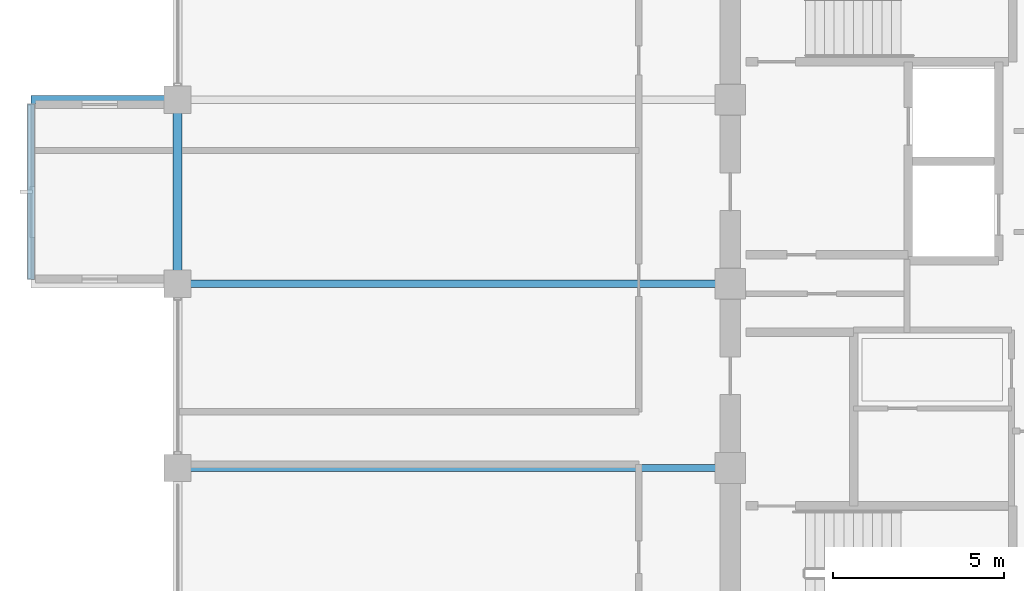
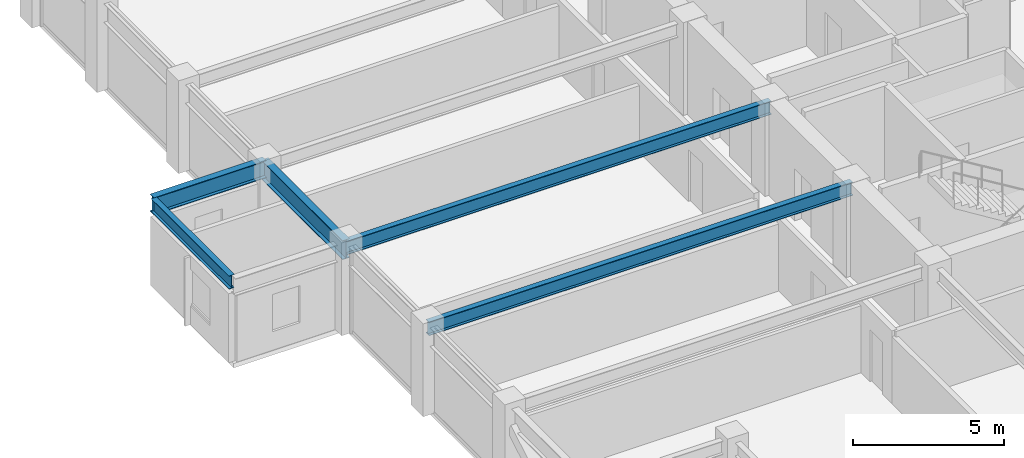
# One storey, part 6 of 28: 5 beams.
"""IFC4 building model written with IfcOpenShell, lengths in metres."""

import ifcopenshell
import ifcopenshell.guid

model = None  # the IFC model being written
_history = None  # IfcOwnerHistory: only IFC2X3 demands one
_inside = {}  # id of a spatial element -> (the spatial element, [elements in it])
_under = {}  # id of a project, library or spatial element -> (it, [spatial elements below it])
_declared = {}  # id of a project -> (the project, [libraries it declares])
_typed = {}  # id of a type object -> (the type object, [elements of that type])
_made_of = {}  # id of a material, layer set ... -> (it, [elements and type objects made of it])


def new_model(schema):
    """Start an empty IFC model of exactly this schema.

    Asked for "IFC4X3", IfcOpenShell would pick the latest addendum, in which some entities
    have other attributes; the version numbers below select the first issue.
    IFC2X3 requires an IfcOwnerHistory on every rooted entity: one is made here for all.
    """
    global model, _history
    if schema == "IFC4X3":
        model = ifcopenshell.file(schema_version=(4, 3, 0, 0))
    else:
        model = ifcopenshell.file(schema=schema)
    _inside.clear()
    _under.clear()
    _declared.clear()
    _typed.clear()
    _made_of.clear()
    _history = None
    if model.schema == "IFC2X3":
        org = make("IfcOrganization", Name="unknown")
        user = make(
            "IfcPersonAndOrganization",
            ThePerson=make("IfcPerson", FamilyName="unknown"),
            TheOrganization=org,
        )
        app = make(
            "IfcApplication",
            ApplicationDeveloper=org,
            Version="unknown",
            ApplicationFullName="unknown",
            ApplicationIdentifier="unknown",
        )
        _history = make(
            "IfcOwnerHistory",
            OwningUser=user,
            OwningApplication=app,
            ChangeAction="ADDED",
            CreationDate=0,
        )
    return model


def make(cls, **values):
    """One entity of the class cls with the attributes given. An attribute that is None is left unset."""
    return model.create_entity(
        cls, **{name: value for name, value in values.items() if value is not None}
    )


def rooted(cls, **values):
    """An entity with a GlobalId (a new one), such as an element, a storey or a relation."""
    return make(cls, GlobalId=ifcopenshell.guid.new(), OwnerHistory=_history, **values)


def si_unit(unit_type, name, prefix=None):
    """IfcSIUnit, for example si_unit("LENGTHUNIT", "METRE", prefix="MILLI")."""
    return make("IfcSIUnit", UnitType=unit_type, Prefix=prefix, Name=name)


def assignment(units):
    """IfcUnitAssignment: the units of a project."""
    return None if units is None else make("IfcUnitAssignment", Units=units)


def point(xyz):
    """IfcCartesianPoint."""
    return None if xyz is None else make("IfcCartesianPoint", Coordinates=xyz)


def direction(xyz):
    """IfcDirection."""
    return None if xyz is None else make("IfcDirection", DirectionRatios=xyz)


def frame(location, z_axis=None, x_axis=None):
    """IfcAxis2Placement3D, a coordinate frame: its origin and axes. An axis left out is left unset."""
    return make(
        "IfcAxis2Placement3D",
        Location=point(location),
        Axis=direction(z_axis),
        RefDirection=direction(x_axis),
    )


def frame_2d(location, x_axis=None):
    """IfcAxis2Placement2D, a coordinate frame in the plane: its origin and x axis."""
    return make(
        "IfcAxis2Placement2D", Location=point(location), RefDirection=direction(x_axis)
    )


def origin():
    """The frame at (0, 0, 0) with its axes left unset."""
    return frame((0.0, 0.0, 0.0))


def origin_2d():
    """The frame at (0, 0) in the plane with its x axis left unset."""
    return frame_2d((0.0, 0.0))


def place(relative_to, where):
    """IfcLocalPlacement: puts the frame where relative to a parent placement (None: the world)."""
    return make(
        "IfcLocalPlacement", PlacementRelTo=relative_to, RelativePlacement=where
    )


def context(
    kind, dimensions, precision=None, world=None, true_north=None, identifier=None
):
    """IfcGeometricRepresentationContext, for example the 3D "Model" context."""
    return make(
        "IfcGeometricRepresentationContext",
        ContextIdentifier=identifier,
        ContextType=kind,
        CoordinateSpaceDimension=dimensions,
        Precision=precision,
        WorldCoordinateSystem=world,
        TrueNorth=true_north,
    )


def subcontext(parent, identifier, kind, view, scale=None):
    """IfcGeometricRepresentationSubContext, for example "Body" below "Model"."""
    return make(
        "IfcGeometricRepresentationSubContext",
        ContextIdentifier=identifier,
        ContextType=kind,
        ParentContext=parent,
        TargetScale=scale,
        TargetView=view,
    )


def project(units=None, contexts=None):
    """IfcProject with its units and contexts."""
    return rooted(
        "IfcProject",
        Name="project",
        RepresentationContexts=contexts,
        UnitsInContext=assignment(units),
    )


def spatial(cls, under=None, at=None, **own):
    """A site, building, storey or space (cls), placed at a placement, below another one or the project."""
    s = rooted(cls, ObjectPlacement=at, **own)
    if under is not None:
        _under.setdefault(under.id(), (under, []))[1].append(s)
    return s


def profile(cls, at=None, kind="AREA", **sizes):
    """A parametric profile (cls). Its sizes go by their IFC names, for example OverallWidth=200.0."""
    return make(cls, ProfileType=kind, Position=at, **sizes)


def i_section(**sizes):
    """IfcIShapeProfileDef."""
    return profile("IfcIShapeProfileDef", **sizes)


def extrude(swept, where, along, depth):
    """IfcExtrudedAreaSolid: the profile swept, set in the frame where, extruded along a direction by depth."""
    return make(
        "IfcExtrudedAreaSolid",
        SweptArea=swept,
        Position=where,
        ExtrudedDirection=direction(along),
        Depth=depth,
    )


def shape(context_of_items, identifier, shape_type, items):
    """IfcShapeRepresentation: the items that make up one representation, for example the "Body"."""
    return make(
        "IfcShapeRepresentation",
        ContextOfItems=context_of_items,
        RepresentationIdentifier=identifier,
        RepresentationType=shape_type,
        Items=items,
    )


def material(Name=None, Category=None):
    """IfcMaterial."""
    return make("IfcMaterial", Name=Name, Category=Category)


def material_profile(
    of_material, cross_section, Name=None, Category=None, Priority=None
):
    """IfcMaterialProfile: a cross section and its material."""
    return make(
        "IfcMaterialProfile",
        Name=Name,
        Material=of_material,
        Profile=cross_section,
        Priority=Priority,
        Category=Category,
    )


def profile_set(profiles, Name=None, composite=None):
    """IfcMaterialProfileSet."""
    return make(
        "IfcMaterialProfileSet",
        Name=Name,
        MaterialProfiles=profiles,
        CompositeProfile=composite,
    )


def made_of(thing, what):
    """Note that an element or type object is made of a material, layer set ...; save() writes the relation."""
    if what is not None:
        _made_of.setdefault(what.id(), (what, []))[1].append(thing)
    return thing


def type_object(cls, material=None, **own):
    """A type object (cls), such as IfcWallType, which elements share."""
    return made_of(rooted(cls, **own), material)


def element(
    cls,
    number,
    at=None,
    inside=None,
    cuts=None,
    type_object=None,
    material=None,
    context=None,
    identifier="Body",
    shape_type=None,
    held_by="IfcProductDefinitionShape",
    body=None,
    shapes=None,
    **own,
):
    """One element of the class cls, such as IfcWall. Its Tag is "e" and its number.

    at: its placement. inside: the storey or other place that contains it. cuts: it is an
    opening in that element (IfcRelVoidsElement). A single representation is given by context,
    identifier, shape_type and body (its items); several are given by shapes. held_by: the class
    of the entity that holds the representations. save() writes the other relations.
    """
    e = rooted(cls, Tag="e%d" % number, ObjectPlacement=at, **own)
    if body is not None:
        shapes = [shape(context, identifier, shape_type, body)]
    if shapes is not None:
        e.Representation = make(held_by, Representations=shapes)
    if inside is not None:
        _inside.setdefault(inside.id(), (inside, []))[1].append(e)
    if cuts is not None:
        rooted(
            "IfcRelVoidsElement", RelatingBuildingElement=cuts, RelatedOpeningElement=e
        )
    if type_object is not None:
        _typed.setdefault(type_object.id(), (type_object, []))[1].append(e)
    return made_of(e, material)


def aggregate(whole, parts):
    """IfcRelAggregates: a whole, such as a stair, and the parts it consists of."""
    return rooted("IfcRelAggregates", RelatingObject=whole, RelatedObjects=parts)


def save(model, path):
    """Write the relations noted so far, then the file.

    IfcRelAggregates (storeys below a building ...), IfcRelContainedInSpatialStructure (elements
    in a storey), IfcRelDefinesByType, IfcRelAssociatesMaterial and IfcRelDeclares: one each for
    every whole, place, type object, material and project.
    """
    for whole, parts in _under.values():
        aggregate(whole, parts)
    for where, things in _inside.values():
        rooted(
            "IfcRelContainedInSpatialStructure",
            RelatedElements=things,
            RelatingStructure=where,
        )
    for kind, things in _typed.values():
        rooted("IfcRelDefinesByType", RelatedObjects=things, RelatingType=kind)
    for what, things in _made_of.values():
        rooted("IfcRelAssociatesMaterial", RelatedObjects=things, RelatingMaterial=what)
    for by, libraries in _declared.values():
        rooted("IfcRelDeclares", RelatingContext=by, RelatedDefinitions=libraries)
    model.write(path)


model = new_model("IFC4")

# Units and contexts
model_context = context("Model", 3, precision=1e-05, world=origin(), true_north=direction((0.0, 1.0)))
body_context = subcontext(model_context, "Body", "Model", "MODEL_VIEW")
ifc_project = project(units=[si_unit("LENGTHUNIT", "METRE"), si_unit("AREAUNIT", "SQUARE_METRE"), si_unit("VOLUMEUNIT", "CUBIC_METRE"), si_unit("PLANEANGLEUNIT", "RADIAN"), si_unit("MASSUNIT", "GRAM", prefix="KILO")], contexts=[model_context])

# Site, building, storey
site_placement = place(None, origin())
site = spatial("IfcSite", under=ifc_project, at=site_placement, CompositionType="ELEMENT")
building_placement = place(site_placement, origin())
building = spatial("IfcBuilding", under=site, at=building_placement, Name="Surkhivell Harbour Commons", CompositionType="ELEMENT")
storey_placement = place(building_placement, frame((0.0, 0.0, 246.0)))
storey = spatial("IfcBuildingStorey", under=building, at=storey_placement, Name="L64", CompositionType="ELEMENT", Elevation=246.0)

# Beams
ifc_material_1 = material(Name="Steel S460", Category="steel")
ifc_material_profile_1 = material_profile(ifc_material_1, i_section(OverallWidth=0.256103515625, OverallDepth=0.693115234375, WebThickness=0.014404296875, FlangeThickness=0.023681640625, at=origin_2d()), Name="UB686x254x170")
ifc_profile_set_1 = profile_set([ifc_material_profile_1], Name="Steel S460")
beam_type_1 = type_object("IfcBeamType", Name="BM-CNT-686", PredefinedType="BEAM", material=ifc_profile_set_1)
beam_1_placement = place(storey_placement, frame((-27.0, 5.39990234375, 3.153564453125), z_axis=(-1.0, 0.0, 0.0), x_axis=(0.0, -1.0, 0.0)))
element("IfcBeam", 1, at=beam_1_placement, inside=storey, type_object=beam_type_1, Name="L64 Box Cantilever Outrigger (-27.0,5.4)", PredefinedType="BEAM", context=body_context, shape_type="SweptSolid", body=[
    extrude(i_section(OverallWidth=0.256103515625, OverallDepth=0.693115234375, WebThickness=0.014404296875, FlangeThickness=0.023681640625, at=origin_2d()), origin(), (0.0, 0.0, 1.0), 4.300048828125),
])
ifc_material_2 = material(Name="Steel S355", Category="steel")
ifc_material_profile_2 = material_profile(ifc_material_2, i_section(OverallWidth=0.2119140625, OverallDepth=0.5439453125, WebThickness=0.0126953125, FlangeThickness=0.021240234375, at=origin_2d()), Name="UB533x210x122")
ifc_profile_set_2 = profile_set([ifc_material_profile_2], Name="Steel S355")
beam_type_2 = type_object("IfcBeamType", Name="BM-GRD-533A", PredefinedType="BEAM", material=ifc_profile_set_2)
for number, where, z_axis, x_axis, name in (
    (2, (-27.0, 0.0, 3.22802734375), (1.0, 0.0, 0.0), (0.0, 1.0, 0.0), "L64 Cantilever Back-Span Girder (-27.0,0.0)"),
    (3, (-27.0, -5.39990234375, 3.22802734375), (1.0, 0.0, 0.0), (0.0, 1.0, 0.0), "L64 Floor Girder (-27.0,-5.4)"),
):
    element("IfcBeam", number, at=place(storey_placement, frame(where, z_axis=z_axis, x_axis=x_axis)), inside=storey, type_object=beam_type_2, Name=name, PredefinedType="BEAM", context=body_context, shape_type="SweptSolid", body=[
        extrude(i_section(OverallWidth=0.2119140625, OverallDepth=0.5439453125, WebThickness=0.0126953125, FlangeThickness=0.021240234375, at=origin_2d()), origin(), (0.0, 0.0, 1.0), 16.199951171875),
    ])
ifc_material_profile_3 = material_profile(ifc_material_2, i_section(OverallWidth=0.2099609375, OverallDepth=0.537109375, WebThickness=0.0107421875, FlangeThickness=0.017333984375, at=origin_2d()), Name="UB533x210x101")
ifc_profile_set_3 = profile_set([ifc_material_profile_3], Name="Steel S355")
beam_type_3 = type_object("IfcBeamType", Name="BM-GRD-533B", PredefinedType="BEAM", material=ifc_profile_set_3)
beam_2_placement = place(storey_placement, frame((-31.300048828125, 0.1220703125, 3.2314453125), z_axis=(0.0, 1.0, 0.0), x_axis=(-1.0, 0.0, 0.0)))
element("IfcBeam", 4, at=beam_2_placement, inside=storey, type_object=beam_type_3, Name="L64 Box Rim Spandrel (-31.3,0.0)", PredefinedType="BEAM", context=body_context, shape_type="SweptSolid", body=[
    extrude(i_section(OverallWidth=0.2099609375, OverallDepth=0.537109375, WebThickness=0.0107421875, FlangeThickness=0.017333984375, at=origin_2d()), origin(), (0.0, 0.0, 1.0), 5.156005859375),
])
ifc_material_profile_4 = material_profile(ifc_material_2, i_section(OverallWidth=0.26806640625, OverallDepth=0.77001953125, WebThickness=0.015625, FlangeThickness=0.025390625, at=origin_2d()), Name="UB762x267x197")
ifc_profile_set_4 = profile_set([ifc_material_profile_4], Name="Steel S355")
beam_type_4 = type_object("IfcBeamType", Name="BM-SPN-762", PredefinedType="SPANDREL", material=ifc_profile_set_4)
beam_3_placement = place(storey_placement, frame((-27.0, 0.0, 3.114990234375), z_axis=(0.0, 1.0, 0.0), x_axis=(-1.0, 0.0, 0.0)))
element("IfcBeam", 5, at=beam_3_placement, inside=storey, type_object=beam_type_4, Name="L64 Tube Spandrel (-27.0,0.0)", PredefinedType="SPANDREL", context=body_context, shape_type="SweptSolid", body=[
    extrude(i_section(OverallWidth=0.26806640625, OverallDepth=0.77001953125, WebThickness=0.015625, FlangeThickness=0.025390625, at=origin_2d()), origin(), (0.0, 0.0, 1.0), 5.39990234375),
])

save(model, "model.ifc")
